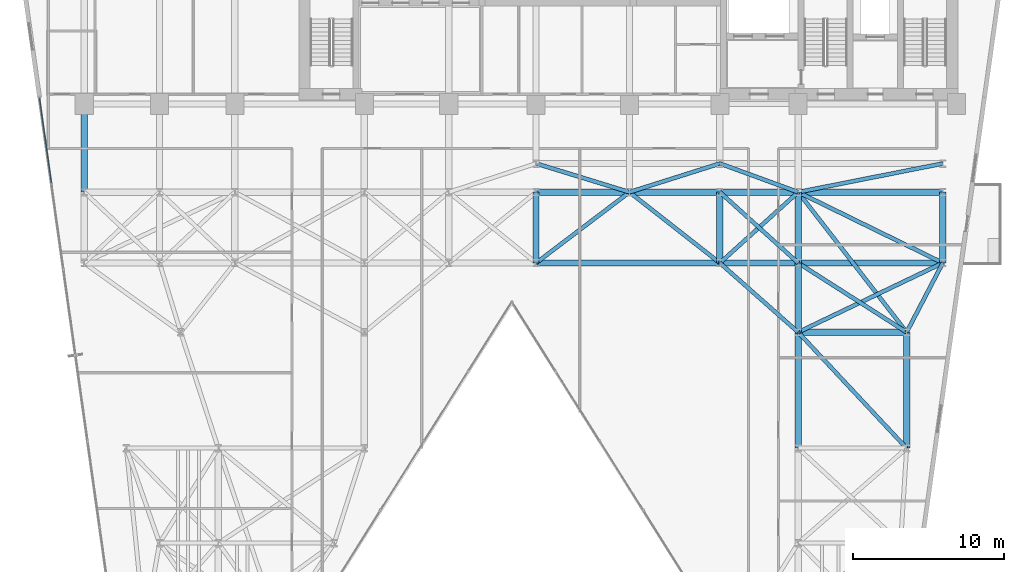
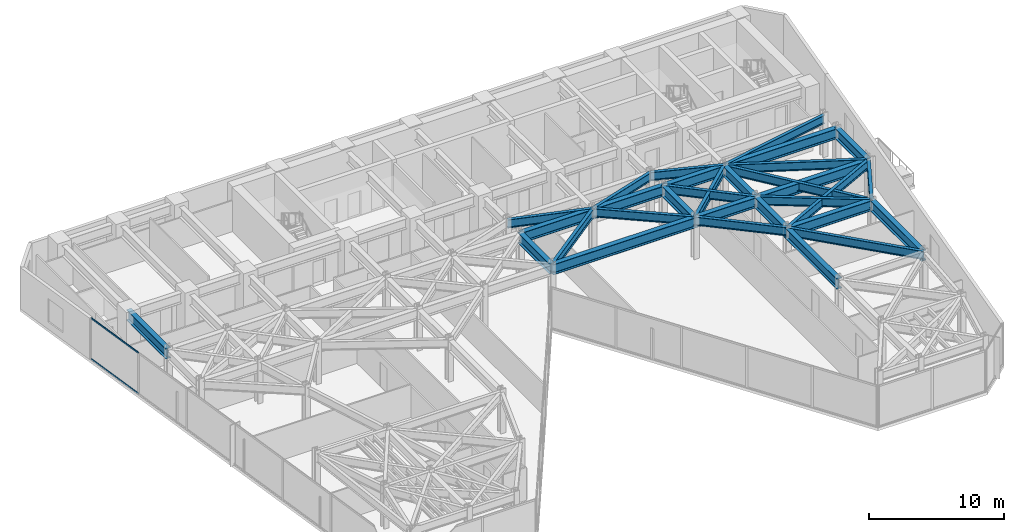
# One storey, part 16 of 25: 31 beams, 2 members, 1 element without a shape of its own.
"""IFC4 building model written with IfcOpenShell, lengths in metres."""

from ifc_helpers import new_model, si_unit, direction, frame, origin, origin_2d, place, context, subcontext, project, spatial, hollow_rectangle, i_section, extrude, material, layer, layer_set, material_profile, profile_set, type_object, element, aggregate, save


model = new_model("IFC4")

# Units and contexts
model_context = context("Model", 3, precision=1e-05, world=origin(), true_north=direction((0.0, 1.0)))
body_context = subcontext(model_context, "Body", "Model", "MODEL_VIEW")
ifc_project = project(units=[si_unit("LENGTHUNIT", "METRE"), si_unit("AREAUNIT", "SQUARE_METRE"), si_unit("VOLUMEUNIT", "CUBIC_METRE"), si_unit("PLANEANGLEUNIT", "RADIAN"), si_unit("MASSUNIT", "GRAM", prefix="KILO")], contexts=[model_context])

# Site, building, storey
site_placement = place(None, origin())
site = spatial("IfcSite", under=ifc_project, at=site_placement, CompositionType="ELEMENT")
building_placement = place(site_placement, origin())
building = spatial("IfcBuilding", under=site, at=building_placement, Name="Kravanh Interchange Tower", CompositionType="ELEMENT")
storey_placement = place(building_placement, frame((0.0, 0.0, 81.5)))
storey = spatial("IfcBuildingStorey", under=building, at=storey_placement, Name="L19", CompositionType="ELEMENT", Elevation=81.5)

# Curtain wall, members
ifc_material_1 = material(Name="Anodised Bronze Aluminium", Category="aluminium")
ifc_layer = layer(ifc_material_1, 0.179931640625)
ifc_layer_set = layer_set([ifc_layer], Name="Unitised Curtain Wall System CW-Z1 Lower Office")
curtain_wall_type = type_object("IfcCurtainWallType", Name="Unitised Curtain Wall System CW-Z1 Lower Office", PredefinedType="NOTDEFINED", material=ifc_layer_set)
curtain_wall_placement = place(storey_placement, origin())
curtain_wall = element("IfcCurtainWall", 1, at=curtain_wall_placement, inside=storey, type_object=curtain_wall_type, Name="L19 Unitised Curtain Wall CW-L19-01", PredefinedType="NOTDEFINED")
ifc_material_2 = material(Name="Anodised Bronze Aluminium", Category="aluminium")
ifc_material_profile_1 = material_profile(ifc_material_2, hollow_rectangle(XDim=0.06005859375, YDim=0.139892578125, WallThickness=0.00390625, at=origin_2d()), Name="ALU60X140X4")
ifc_profile_set_1 = profile_set([ifc_material_profile_1], Name="Anodised Bronze Aluminium")
member_type = type_object("IfcMemberType", Name="Curtain Wall Transom ALU60X140X4 Bronze", PredefinedType="USERDEFINED", material=ifc_profile_set_1)
member_1_placement = place(storey_placement, frame((6.422607421875, 32.1240234375, 0.030029296875), z_axis=(-0.139193386559, 0.990265217575, 0.0), x_axis=(-0.990265217575, -0.139193386559, 0.0)))
member_1 = element("IfcMember", 2, at=member_1_placement, type_object=member_type, Name="CW-Z1 transom 6.1", ObjectType="TRANSOM", PredefinedType="USERDEFINED", context=body_context, shape_type="SweptSolid", body=[
    extrude(hollow_rectangle(XDim=0.06005859375, YDim=0.139892578125, WallThickness=0.00390625, at=origin_2d()), origin(), (0.0, 0.0, 1.0), 5.661865234375),
])
member_2_placement = place(storey_placement, frame((6.422607421875, 32.1240234375, 3.68994140625), z_axis=(-0.139193386559, 0.990265217575, 0.0), x_axis=(-0.990265217575, -0.139193386559, 0.0)))
member_2 = element("IfcMember", 3, at=member_2_placement, type_object=member_type, Name="CW-Z1 transom 6.2", ObjectType="TRANSOM", PredefinedType="USERDEFINED", context=body_context, shape_type="SweptSolid", body=[
    extrude(hollow_rectangle(XDim=0.06005859375, YDim=0.139892578125, WallThickness=0.00390625, at=origin_2d()), origin(), (0.0, 0.0, 1.0), 5.661865234375),
])
aggregate(curtain_wall, [member_1, member_2])

# Beams
ifc_material_3 = material(Name="Structural Steel S355", Category="steel")
ifc_material_profile_2 = material_profile(ifc_material_3, i_section(OverallWidth=0.41796875, OverallDepth=0.927001953125, WebThickness=0.019287109375, FlangeThickness=0.031982421875, FilletRadius=0.028076171875, at=origin_2d()), Name="W36X231")
ifc_profile_set_2 = profile_set([ifc_material_profile_2], Name="Structural Steel S355")
beam_type_1 = type_object("IfcBeamType", Name="Floor Beam W36X231 Structural Steel S355", PredefinedType="BEAM", material=ifc_profile_set_2)
beam_1_placement = place(storey_placement, frame((8.60009765625, 37.35009765625, 3.256591796875), z_axis=(0.0, -1.0, 0.0), x_axis=(1.0, 0.0, 0.0)))
element("IfcBeam", 4, at=beam_1_placement, inside=storey, type_object=beam_type_1, Name="L19 Primary Floor Girder 36", PredefinedType="BEAM", context=body_context, shape_type="SweptSolid", body=[
    extrude(i_section(OverallWidth=0.41796875, OverallDepth=0.927001953125, WebThickness=0.019287109375, FlangeThickness=0.031982421875, FilletRadius=0.028076171875, at=origin_2d()), origin(), (0.0, 0.0, 1.0), 5.85009765625),
])
for number, where, z_axis, x_axis, name in (
    (5, (56.0, 14.5, 3.256591796875), (0.0, 1.0, 0.0), (-1.0, 0.0, 0.0), "L19 Primary Floor Girder 44"),
    (6, (63.199951171875, 14.5, 3.256591796875), (0.0, 1.0, 0.0), (-1.0, 0.0, 0.0), "L19 Primary Floor Girder 47"),
):
    element("IfcBeam", number, at=place(storey_placement, frame(where, z_axis=z_axis, x_axis=x_axis)), inside=storey, type_object=beam_type_1, Name=name, PredefinedType="BEAM", context=body_context, shape_type="SweptSolid", body=[
        extrude(i_section(OverallWidth=0.41796875, OverallDepth=0.927001953125, WebThickness=0.019287109375, FlangeThickness=0.031982421875, FilletRadius=0.028076171875, at=origin_2d()), origin(), (0.0, 0.0, 1.0), 7.699951171875),
    ])
beam_2_placement = place(storey_placement, frame((56.0, 22.199951171875, 3.256591796875), z_axis=(0.0, 1.0, 0.0), x_axis=(-1.0, 0.0, 0.0)))
element("IfcBeam", 7, at=beam_2_placement, inside=storey, type_object=beam_type_1, Name="L19 Primary Floor Girder 58", PredefinedType="BEAM", context=body_context, shape_type="SweptSolid", body=[
    extrude(i_section(OverallWidth=0.41796875, OverallDepth=0.927001953125, WebThickness=0.019287109375, FlangeThickness=0.031982421875, FilletRadius=0.028076171875, at=origin_2d()), origin(), (0.0, 0.0, 1.0), 4.60009765625),
])
beam_3_placement = place(storey_placement, frame((56.0, 22.199951171875, 3.256591796875), z_axis=(1.0, 0.0, 0.0), x_axis=(0.0, 1.0, 0.0)))
element("IfcBeam", 8, at=beam_3_placement, inside=storey, type_object=beam_type_1, Name="L19 Primary Floor Girder 60", PredefinedType="BEAM", context=body_context, shape_type="SweptSolid", body=[
    extrude(i_section(OverallWidth=0.41796875, OverallDepth=0.927001953125, WebThickness=0.019287109375, FlangeThickness=0.031982421875, FilletRadius=0.028076171875, at=origin_2d()), origin(), (0.0, 0.0, 1.0), 7.199951171875),
])
beam_4_placement = place(storey_placement, frame((38.60009765625, 26.800048828125, 3.256591796875), z_axis=(0.0, 1.0, 0.0), x_axis=(-1.0, 0.0, 0.0)))
element("IfcBeam", 9, at=beam_4_placement, inside=storey, type_object=beam_type_1, Name="L19 Primary Floor Girder 86", PredefinedType="BEAM", context=body_context, shape_type="SweptSolid", body=[
    extrude(i_section(OverallWidth=0.41796875, OverallDepth=0.927001953125, WebThickness=0.019287109375, FlangeThickness=0.031982421875, FilletRadius=0.028076171875, at=origin_2d()), origin(), (0.0, 0.0, 1.0), 4.699951171875),
])
beam_5_placement = place(storey_placement, frame((38.60009765625, 26.800048828125, 3.256591796875), z_axis=(1.0, 0.0, 0.0), x_axis=(0.0, 1.0, 0.0)))
element("IfcBeam", 10, at=beam_5_placement, inside=storey, type_object=beam_type_1, Name="L19 Primary Floor Girder 89", PredefinedType="BEAM", context=body_context, shape_type="SweptSolid", body=[
    extrude(i_section(OverallWidth=0.41796875, OverallDepth=0.927001953125, WebThickness=0.019287109375, FlangeThickness=0.031982421875, FilletRadius=0.028076171875, at=origin_2d()), origin(), (0.0, 0.0, 1.0), 12.199951171875),
])
beam_6_placement = place(storey_placement, frame((50.800048828125, 26.800048828125, 3.256591796875), z_axis=(0.0, 1.0, 0.0), x_axis=(-1.0, 0.0, 0.0)))
element("IfcBeam", 11, at=beam_6_placement, inside=storey, type_object=beam_type_1, Name="L19 Primary Floor Girder 90", PredefinedType="BEAM", context=body_context, shape_type="SweptSolid", body=[
    extrude(i_section(OverallWidth=0.41796875, OverallDepth=0.927001953125, WebThickness=0.019287109375, FlangeThickness=0.031982421875, FilletRadius=0.028076171875, at=origin_2d()), origin(), (0.0, 0.0, 1.0), 4.699951171875),
])
beam_7_placement = place(storey_placement, frame((50.800048828125, 26.800048828125, 3.256591796875), z_axis=(1.0, 0.0, 0.0), x_axis=(0.0, 1.0, 0.0)))
element("IfcBeam", 12, at=beam_7_placement, inside=storey, type_object=beam_type_1, Name="L19 Primary Floor Girder 91", PredefinedType="BEAM", context=body_context, shape_type="SweptSolid", body=[
    extrude(i_section(OverallWidth=0.41796875, OverallDepth=0.927001953125, WebThickness=0.019287109375, FlangeThickness=0.031982421875, FilletRadius=0.028076171875, at=origin_2d()), origin(), (0.0, 0.0, 1.0), 5.199951171875),
])
beam_8_placement = place(storey_placement, frame((56.0, 26.800048828125, 3.256591796875), z_axis=(0.0, 1.0, 0.0), x_axis=(-1.0, 0.0, 0.0)))
element("IfcBeam", 13, at=beam_8_placement, inside=storey, type_object=beam_type_1, Name="L19 Primary Floor Girder 94", PredefinedType="BEAM", context=body_context, shape_type="SweptSolid", body=[
    extrude(i_section(OverallWidth=0.41796875, OverallDepth=0.927001953125, WebThickness=0.019287109375, FlangeThickness=0.031982421875, FilletRadius=0.028076171875, at=origin_2d()), origin(), (0.0, 0.0, 1.0), 4.699951171875),
])
beam_9_placement = place(storey_placement, frame((56.0, 26.800048828125, 3.256591796875), z_axis=(1.0, 0.0, 0.0), x_axis=(0.0, 1.0, 0.0)))
element("IfcBeam", 14, at=beam_9_placement, inside=storey, type_object=beam_type_1, Name="L19 Primary Floor Girder 97", PredefinedType="BEAM", context=body_context, shape_type="SweptSolid", body=[
    extrude(i_section(OverallWidth=0.41796875, OverallDepth=0.927001953125, WebThickness=0.019287109375, FlangeThickness=0.031982421875, FilletRadius=0.028076171875, at=origin_2d()), origin(), (0.0, 0.0, 1.0), 9.60009765625),
])
beam_10_placement = place(storey_placement, frame((65.60009765625, 26.800048828125, 3.256591796875), z_axis=(0.0, 1.0, 0.0), x_axis=(-1.0, 0.0, 0.0)))
element("IfcBeam", 15, at=beam_10_placement, inside=storey, type_object=beam_type_1, Name="L19 Primary Floor Girder 98", PredefinedType="BEAM", context=body_context, shape_type="SweptSolid", body=[
    extrude(i_section(OverallWidth=0.41796875, OverallDepth=0.927001953125, WebThickness=0.019287109375, FlangeThickness=0.031982421875, FilletRadius=0.028076171875, at=origin_2d()), origin(), (0.0, 0.0, 1.0), 4.699951171875),
])
beam_11_placement = place(storey_placement, frame((38.60009765625, 31.5, 3.256591796875), z_axis=(1.0, 0.0, 0.0), x_axis=(0.0, 1.0, 0.0)))
element("IfcBeam", 16, at=beam_11_placement, inside=storey, type_object=beam_type_1, Name="L19 Primary Floor Girder 111", PredefinedType="BEAM", context=body_context, shape_type="SweptSolid", body=[
    extrude(i_section(OverallWidth=0.41796875, OverallDepth=0.927001953125, WebThickness=0.019287109375, FlangeThickness=0.031982421875, FilletRadius=0.028076171875, at=origin_2d()), origin(), (0.0, 0.0, 1.0), 6.199951171875),
])
beam_12_placement = place(storey_placement, frame((44.800048828125, 31.5, 3.256591796875), z_axis=(1.0, 0.0, 0.0), x_axis=(0.0, 1.0, 0.0)))
element("IfcBeam", 17, at=beam_12_placement, inside=storey, type_object=beam_type_1, Name="L19 Primary Floor Girder 113", PredefinedType="BEAM", context=body_context, shape_type="SweptSolid", body=[
    extrude(i_section(OverallWidth=0.41796875, OverallDepth=0.927001953125, WebThickness=0.019287109375, FlangeThickness=0.031982421875, FilletRadius=0.028076171875, at=origin_2d()), origin(), (0.0, 0.0, 1.0), 6.0),
])
beam_13_placement = place(storey_placement, frame((50.800048828125, 31.5, 3.256591796875), z_axis=(1.0, 0.0, 0.0), x_axis=(0.0, 1.0, 0.0)))
element("IfcBeam", 18, at=beam_13_placement, inside=storey, type_object=beam_type_1, Name="L19 Primary Floor Girder 116", PredefinedType="BEAM", context=body_context, shape_type="SweptSolid", body=[
    extrude(i_section(OverallWidth=0.41796875, OverallDepth=0.927001953125, WebThickness=0.019287109375, FlangeThickness=0.031982421875, FilletRadius=0.028076171875, at=origin_2d()), origin(), (0.0, 0.0, 1.0), 5.199951171875),
])
beam_14_placement = place(storey_placement, frame((56.0, 31.5, 3.256591796875), z_axis=(1.0, 0.0, 0.0), x_axis=(0.0, 1.0, 0.0)))
element("IfcBeam", 19, at=beam_14_placement, inside=storey, type_object=beam_type_1, Name="L19 Primary Floor Girder 119", PredefinedType="BEAM", context=body_context, shape_type="SweptSolid", body=[
    extrude(i_section(OverallWidth=0.41796875, OverallDepth=0.927001953125, WebThickness=0.019287109375, FlangeThickness=0.031982421875, FilletRadius=0.028076171875, at=origin_2d()), origin(), (0.0, 0.0, 1.0), 9.60009765625),
])
ifc_material_4 = material(Name="Structural Steel S355", Category="steel")
ifc_material_profile_3 = material_profile(ifc_material_4, i_section(OverallWidth=0.26708984375, OverallDepth=0.761962890625, WebThickness=0.014404296875, FlangeThickness=0.021484375, FilletRadius=0.02490234375, at=origin_2d()), Name="W30X116")
ifc_profile_set_3 = profile_set([ifc_material_profile_3], Name="Structural Steel S355")
beam_type_2 = type_object("IfcBeamType", Name="Floor Spandrel W30X116 Structural Steel S355", PredefinedType="SPANDREL", material=ifc_profile_set_3)
beam_15_placement = place(storey_placement, frame((63.199951171875, 14.5, 3.339111328125), z_axis=(-0.682993762113, 0.73042420614, 0.0), x_axis=(-0.73042420614, -0.682993762113, 0.0)))
element("IfcBeam", 20, at=beam_15_placement, inside=storey, type_object=beam_type_2, Name="L19 Perimeter Spandrel 49", PredefinedType="SPANDREL", context=body_context, shape_type="SweptSolid", body=[
    extrude(i_section(OverallWidth=0.26708984375, OverallDepth=0.761962890625, WebThickness=0.014404296875, FlangeThickness=0.021484375, FilletRadius=0.02490234375, at=origin_2d()), origin(), (0.0, 0.0, 1.0), 10.541748046875),
])
beam_16_placement = place(storey_placement, frame((56.0, 22.199951171875, 3.339111328125), z_axis=(-0.74898649432, 0.662585263439, 0.0), x_axis=(-0.662585263439, -0.74898649432, 0.0)))
element("IfcBeam", 21, at=beam_16_placement, inside=storey, type_object=beam_type_2, Name="L19 Perimeter Spandrel 59", PredefinedType="SPANDREL", context=body_context, shape_type="SweptSolid", body=[
    extrude(i_section(OverallWidth=0.26708984375, OverallDepth=0.761962890625, WebThickness=0.014404296875, FlangeThickness=0.021484375, FilletRadius=0.02490234375, at=origin_2d()), origin(), (0.0, 0.0, 1.0), 6.942626953125),
])
beam_17_placement = place(storey_placement, frame((56.0, 22.199951171875, 3.339111328125), z_axis=(0.901814166789, 0.432124066188, 0.0), x_axis=(-0.432124066188, 0.901814166789, 0.0)))
element("IfcBeam", 22, at=beam_17_placement, inside=storey, type_object=beam_type_2, Name="L19 Perimeter Spandrel 61", PredefinedType="SPANDREL", context=body_context, shape_type="SweptSolid", body=[
    extrude(i_section(OverallWidth=0.26708984375, OverallDepth=0.761962890625, WebThickness=0.014404296875, FlangeThickness=0.021484375, FilletRadius=0.02490234375, at=origin_2d()), origin(), (0.0, 0.0, 1.0), 10.645263671875),
])
beam_18_placement = place(storey_placement, frame((63.199951171875, 22.199951171875, 3.339111328125), z_axis=(0.462580479178, 0.886577295155, 0.0), x_axis=(-0.886577295155, 0.462580479178, 0.0)))
element("IfcBeam", 23, at=beam_18_placement, inside=storey, type_object=beam_type_2, Name="L19 Perimeter Spandrel 62", PredefinedType="SPANDREL", context=body_context, shape_type="SweptSolid", body=[
    extrude(i_section(OverallWidth=0.26708984375, OverallDepth=0.761962890625, WebThickness=0.014404296875, FlangeThickness=0.021484375, FilletRadius=0.02490234375, at=origin_2d()), origin(), (0.0, 0.0, 1.0), 5.188720703125),
])
beam_19_placement = place(storey_placement, frame((63.199951171875, 22.199951171875, 3.339111328125), z_axis=(-0.842689417531, 0.53839998661, 0.0), x_axis=(-0.53839998661, -0.842689417531, 0.0)))
element("IfcBeam", 24, at=beam_19_placement, inside=storey, type_object=beam_type_2, Name="L19 Perimeter Spandrel 63", PredefinedType="SPANDREL", context=body_context, shape_type="SweptSolid", body=[
    extrude(i_section(OverallWidth=0.26708984375, OverallDepth=0.761962890625, WebThickness=0.014404296875, FlangeThickness=0.021484375, FilletRadius=0.02490234375, at=origin_2d()), origin(), (0.0, 0.0, 1.0), 8.5439453125),
])
beam_20_placement = place(storey_placement, frame((63.199951171875, 22.199951171875, 3.339111328125), z_axis=(-0.612168587637, 0.790727273028, 0.0), x_axis=(-0.790727273028, -0.612168587637, 0.0)))
element("IfcBeam", 25, at=beam_20_placement, inside=storey, type_object=beam_type_2, Name="L19 Perimeter Spandrel 65", PredefinedType="SPANDREL", context=body_context, shape_type="SweptSolid", body=[
    extrude(i_section(OverallWidth=0.26708984375, OverallDepth=0.761962890625, WebThickness=0.014404296875, FlangeThickness=0.021484375, FilletRadius=0.02490234375, at=origin_2d()), origin(), (0.0, 0.0, 1.0), 11.761474609375),
])
beam_21_placement = place(storey_placement, frame((38.60009765625, 26.800048828125, 3.339111328125), z_axis=(0.796905365509, 0.604104161898, 0.0), x_axis=(-0.604104161898, 0.796905365509, 0.0)))
element("IfcBeam", 26, at=beam_21_placement, inside=storey, type_object=beam_type_2, Name="L19 Perimeter Spandrel 88", PredefinedType="SPANDREL", context=body_context, shape_type="SweptSolid", body=[
    extrude(i_section(OverallWidth=0.26708984375, OverallDepth=0.761962890625, WebThickness=0.014404296875, FlangeThickness=0.021484375, FilletRadius=0.02490234375, at=origin_2d()), origin(), (0.0, 0.0, 1.0), 7.780029296875),
])
beam_22_placement = place(storey_placement, frame((50.800048828125, 26.800048828125, 3.339111328125), z_axis=(0.741874009795, 0.670539300557, 0.0), x_axis=(-0.670539300557, 0.741874009795, 0.0)))
element("IfcBeam", 27, at=beam_22_placement, inside=storey, type_object=beam_type_2, Name="L19 Perimeter Spandrel 92", PredefinedType="SPANDREL", context=body_context, shape_type="SweptSolid", body=[
    extrude(i_section(OverallWidth=0.26708984375, OverallDepth=0.761962890625, WebThickness=0.014404296875, FlangeThickness=0.021484375, FilletRadius=0.02490234375, at=origin_2d()), origin(), (0.0, 0.0, 1.0), 7.00927734375),
])
beam_23_placement = place(storey_placement, frame((50.800048828125, 26.800048828125, 3.339111328125), z_axis=(-0.787231163579, 0.616658004967, 0.0), x_axis=(-0.616658004967, -0.787231163579, 0.0)))
element("IfcBeam", 28, at=beam_23_placement, inside=storey, type_object=beam_type_2, Name="L19 Perimeter Spandrel 93", PredefinedType="SPANDREL", context=body_context, shape_type="SweptSolid", body=[
    extrude(i_section(OverallWidth=0.26708984375, OverallDepth=0.761962890625, WebThickness=0.014404296875, FlangeThickness=0.021484375, FilletRadius=0.02490234375, at=origin_2d()), origin(), (0.0, 0.0, 1.0), 7.62158203125),
])
beam_24_placement = place(storey_placement, frame((56.0, 26.800048828125, 3.339111328125), z_axis=(-0.741874009795, 0.670539300557, 0.0), x_axis=(-0.670539300557, -0.741874009795, 0.0)))
element("IfcBeam", 29, at=beam_24_placement, inside=storey, type_object=beam_type_2, Name="L19 Perimeter Spandrel 95", PredefinedType="SPANDREL", context=body_context, shape_type="SweptSolid", body=[
    extrude(i_section(OverallWidth=0.26708984375, OverallDepth=0.761962890625, WebThickness=0.014404296875, FlangeThickness=0.021484375, FilletRadius=0.02490234375, at=origin_2d()), origin(), (0.0, 0.0, 1.0), 7.00927734375),
])
beam_25_placement = place(storey_placement, frame((65.60009765625, 26.800048828125, 3.339111328125), z_axis=(-0.898141688387, 0.439706160499, 0.0), x_axis=(-0.439706160499, -0.898141688387, 0.0)))
element("IfcBeam", 30, at=beam_25_placement, inside=storey, type_object=beam_type_2, Name="L19 Perimeter Spandrel 99", PredefinedType="SPANDREL", context=body_context, shape_type="SweptSolid", body=[
    extrude(i_section(OverallWidth=0.26708984375, OverallDepth=0.761962890625, WebThickness=0.014404296875, FlangeThickness=0.021484375, FilletRadius=0.02490234375, at=origin_2d()), origin(), (0.0, 0.0, 1.0), 10.68896484375),
])
beam_26_placement = place(storey_placement, frame((44.800048828125, 31.5, 3.339111328125), z_axis=(0.953346691051, 0.301877602122, 0.0), x_axis=(-0.301877602122, 0.953346691051, 0.0)))
element("IfcBeam", 31, at=beam_26_placement, inside=storey, type_object=beam_type_2, Name="L19 Perimeter Spandrel 114", PredefinedType="SPANDREL", context=body_context, shape_type="SweptSolid", body=[
    extrude(i_section(OverallWidth=0.26708984375, OverallDepth=0.761962890625, WebThickness=0.014404296875, FlangeThickness=0.021484375, FilletRadius=0.02490234375, at=origin_2d()), origin(), (0.0, 0.0, 1.0), 6.293701171875),
])
beam_27_placement = place(storey_placement, frame((44.800048828125, 31.5, 3.339111328125), z_axis=(-0.956115397264, 0.292990353279, 0.0), x_axis=(-0.292990353279, -0.956115397264, 0.0)))
element("IfcBeam", 32, at=beam_27_placement, inside=storey, type_object=beam_type_2, Name="L19 Perimeter Spandrel 115", PredefinedType="SPANDREL", context=body_context, shape_type="SweptSolid", body=[
    extrude(i_section(OverallWidth=0.26708984375, OverallDepth=0.761962890625, WebThickness=0.014404296875, FlangeThickness=0.021484375, FilletRadius=0.02490234375, at=origin_2d()), origin(), (0.0, 0.0, 1.0), 6.484619140625),
])
beam_28_placement = place(storey_placement, frame((56.0, 31.5, 3.339111328125), z_axis=(-0.93926957103, 0.343180233896, 0.0), x_axis=(-0.343180233896, -0.93926957103, 0.0)))
element("IfcBeam", 33, at=beam_28_placement, inside=storey, type_object=beam_type_2, Name="L19 Perimeter Spandrel 118", PredefinedType="SPANDREL", context=body_context, shape_type="SweptSolid", body=[
    extrude(i_section(OverallWidth=0.26708984375, OverallDepth=0.761962890625, WebThickness=0.014404296875, FlangeThickness=0.021484375, FilletRadius=0.02490234375, at=origin_2d()), origin(), (0.0, 0.0, 1.0), 5.5361328125),
])
beam_29_placement = place(storey_placement, frame((56.0, 31.5, 3.339111328125), z_axis=(0.980974000807, 0.194139150457, 0.0), x_axis=(-0.194139150457, 0.980974000807, 0.0)))
element("IfcBeam", 34, at=beam_29_placement, inside=storey, type_object=beam_type_2, Name="L19 Perimeter Spandrel 120", PredefinedType="SPANDREL", context=body_context, shape_type="SweptSolid", body=[
    extrude(i_section(OverallWidth=0.26708984375, OverallDepth=0.761962890625, WebThickness=0.014404296875, FlangeThickness=0.021484375, FilletRadius=0.02490234375, at=origin_2d()), origin(), (0.0, 0.0, 1.0), 9.786376953125),
])

save(model, "model.ifc")
